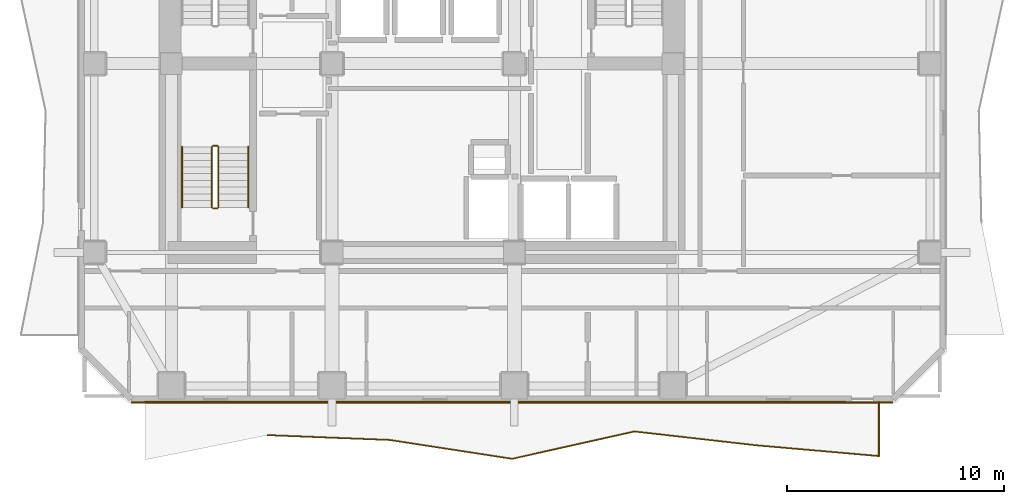
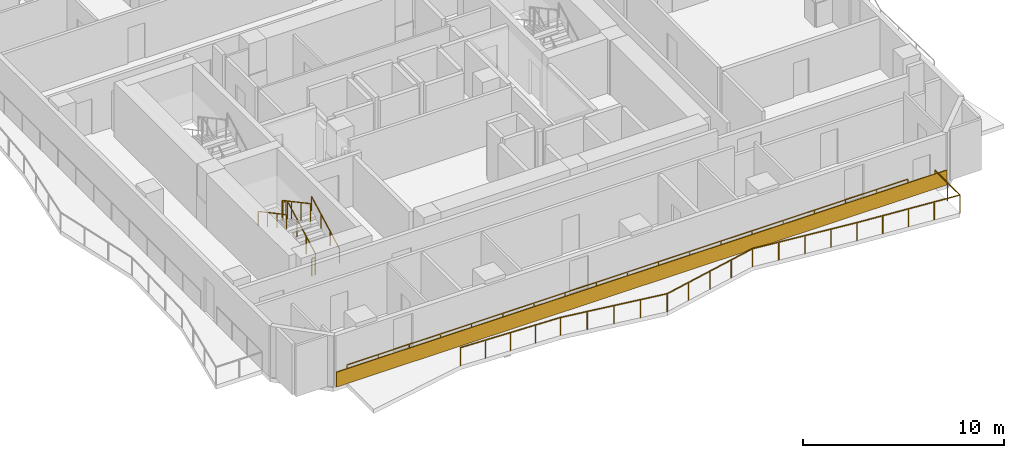
# One storey, part 7 of 9: 8 railings, 1 covering.
"""IFC4 building model written with IfcOpenShell, lengths in metres."""

from ifc_helpers import new_model, si_unit, direction, frame, frame_2d, origin, origin_2d, place, context, subcontext, project, spatial, rectangle, extrude, material, layer, layer_set, type_object, element, save


model = new_model("IFC4")

# Units and contexts
model_context = context("Model", 3, precision=1e-05, world=origin(), true_north=direction((0.0, 1.0)))
body_context = subcontext(model_context, "Body", "Model", "MODEL_VIEW")
ifc_project = project(units=[si_unit("LENGTHUNIT", "METRE"), si_unit("AREAUNIT", "SQUARE_METRE"), si_unit("VOLUMEUNIT", "CUBIC_METRE"), si_unit("PLANEANGLEUNIT", "RADIAN"), si_unit("MASSUNIT", "GRAM", prefix="KILO")], contexts=[model_context])

# Site, building, storey
site_placement = place(None, origin())
site = spatial("IfcSite", under=ifc_project, at=site_placement, CompositionType="ELEMENT")
building_placement = place(site_placement, origin())
building = spatial("IfcBuilding", under=site, at=building_placement, Name="Solanera Arch Residences", CompositionType="ELEMENT")
storey_placement = place(building_placement, frame((0.0, 0.0, 155.8798828125)))
storey = spatial("IfcBuildingStorey", under=building, at=storey_placement, Name="L45", CompositionType="ELEMENT", Elevation=155.8798828125)

# Railings
ifc_material_1 = material(Name="Steel S355 (ASTM A992 / A572 Grade 50)", Category="steel")
railing_type_1 = type_object("IfcRailingType", Name="Balustrade Railing BL-1100", PredefinedType="BALUSTRADE", material=ifc_material_1)
railing_1_placement = place(storey_placement, frame((17.8330078125, 13.5849609375, 0.0)))
element("IfcRailing", 1, at=railing_1_placement, inside=storey, type_object=railing_type_1, Name="L45 S Balcony Balustrade 1", PredefinedType="BALUSTRADE", context=body_context, shape_type="SweptSolid", body=[
    extrude(rectangle(XDim=0.048095703125, YDim=0.048095703125, at=origin_2d()), frame((0.0, 0.0, 1.09619140625), z_axis=(0.999218294098, -0.039532274668, 0.0), x_axis=(0.039532274668, 0.999218294098, 0.0)), (0.0, 0.0, 1.0), 5.638427734375),
    extrude(rectangle(XDim=0.048095703125, YDim=0.048095703125, at=origin_2d()), frame((5.634033203125, -0.222900390625, 1.09619140625), z_axis=(0.988331055855, -0.152321121424, 0.0), x_axis=(0.152321121424, 0.988331055855, 0.0)), (0.0, 0.0, 1.0), 5.699462890625),
    extrude(rectangle(XDim=0.048095703125, YDim=0.048095703125, at=origin_2d()), frame((11.26708984375, -1.091064453125, 1.09619140625), z_axis=(0.975846504853, 0.218457316122, 0.0), x_axis=(-0.218457316122, 0.975846504853, 0.0)), (0.0, 0.0, 1.0), 5.772216796875),
    extrude(rectangle(XDim=0.048095703125, YDim=0.048095703125, at=origin_2d()), frame((16.89990234375, 0.169921875, 1.09619140625), z_axis=(0.993592623931, -0.113020784236, 0.0), x_axis=(0.113020784236, 0.993592623931, 0.0)), (0.0, 0.0, 1.0), 5.67041015625),
    extrude(rectangle(XDim=0.048095703125, YDim=0.048095703125, at=origin_2d()), frame((22.533935546875, -0.470947265625, 1.09619140625), z_axis=(0.996178283681, -0.087343157278, 0.0), x_axis=(0.087343157278, 0.996178283681, 0.0)), (0.0, 0.0, 1.0), 5.65478515625),
    extrude(rectangle(XDim=0.048095703125, YDim=0.048095703125, at=origin_2d()), frame((28.1669921875, -0.96484375, 1.09619140625), z_axis=(0.0, 1.0, 0.0), x_axis=(-1.0, 0.0, 0.0)), (0.0, 0.0, 1.0), 2.5),
    extrude(rectangle(XDim=0.0419921875, YDim=0.0419921875, at=origin_2d()), origin(), (0.0, 0.0, 1.0), 1.072021484375),
    extrude(rectangle(XDim=0.0419921875, YDim=0.0419921875, at=origin_2d()), frame((1.408447265625, -0.0556640625, 0.0)), (0.0, 0.0, 1.0), 1.072021484375),
    extrude(rectangle(XDim=0.0419921875, YDim=0.0419921875, at=origin_2d()), frame((2.81689453125, -0.111328125, 0.0)), (0.0, 0.0, 1.0), 1.072021484375),
    extrude(rectangle(XDim=0.0419921875, YDim=0.0419921875, at=origin_2d()), frame((4.2255859375, -0.167236328125, 0.0)), (0.0, 0.0, 1.0), 1.072021484375),
    extrude(rectangle(XDim=0.0419921875, YDim=0.0419921875, at=origin_2d()), frame((5.634033203125, -0.222900390625, 0.0)), (0.0, 0.0, 1.0), 1.072021484375),
    extrude(rectangle(XDim=0.0419921875, YDim=0.0419921875, at=origin_2d()), frame((7.042236328125, -0.43994140625, 0.0)), (0.0, 0.0, 1.0), 1.072021484375),
    extrude(rectangle(XDim=0.0419921875, YDim=0.0419921875, at=origin_2d()), frame((8.45068359375, -0.656982421875, 0.0)), (0.0, 0.0, 1.0), 1.072021484375),
    extrude(rectangle(XDim=0.0419921875, YDim=0.0419921875, at=origin_2d()), frame((9.85888671875, -0.8740234375, 0.0)), (0.0, 0.0, 1.0), 1.072021484375),
    extrude(rectangle(XDim=0.0419921875, YDim=0.0419921875, at=origin_2d()), frame((11.26708984375, -1.091064453125, 0.0)), (0.0, 0.0, 1.0), 1.072021484375),
    extrude(rectangle(XDim=0.0419921875, YDim=0.0419921875, at=origin_2d()), frame((12.67529296875, -0.77587890625, 0.0)), (0.0, 0.0, 1.0), 1.072021484375),
    extrude(rectangle(XDim=0.0419921875, YDim=0.0419921875, at=origin_2d()), frame((14.08349609375, -0.46044921875, 0.0)), (0.0, 0.0, 1.0), 1.072021484375),
    extrude(rectangle(XDim=0.0419921875, YDim=0.0419921875, at=origin_2d()), frame((15.49169921875, -0.145263671875, 0.0)), (0.0, 0.0, 1.0), 1.072021484375),
    extrude(rectangle(XDim=0.0419921875, YDim=0.0419921875, at=origin_2d()), frame((16.89990234375, 0.169921875, 0.0)), (0.0, 0.0, 1.0), 1.072021484375),
    extrude(rectangle(XDim=0.0419921875, YDim=0.0419921875, at=origin_2d()), frame((18.308349609375, 0.009765625, 0.0)), (0.0, 0.0, 1.0), 1.072021484375),
    extrude(rectangle(XDim=0.0419921875, YDim=0.0419921875, at=origin_2d()), frame((19.716796875, -0.150390625, 0.0)), (0.0, 0.0, 1.0), 1.072021484375),
    extrude(rectangle(XDim=0.0419921875, YDim=0.0419921875, at=origin_2d()), frame((21.12548828125, -0.310791015625, 0.0)), (0.0, 0.0, 1.0), 1.072021484375),
    extrude(rectangle(XDim=0.0419921875, YDim=0.0419921875, at=origin_2d()), frame((22.533935546875, -0.470947265625, 0.0)), (0.0, 0.0, 1.0), 1.072021484375),
    extrude(rectangle(XDim=0.0419921875, YDim=0.0419921875, at=origin_2d()), frame((23.942138671875, -0.594482421875, 0.0)), (0.0, 0.0, 1.0), 1.072021484375),
    extrude(rectangle(XDim=0.0419921875, YDim=0.0419921875, at=origin_2d()), frame((25.3505859375, -0.7177734375, 0.0)), (0.0, 0.0, 1.0), 1.072021484375),
    extrude(rectangle(XDim=0.0419921875, YDim=0.0419921875, at=origin_2d()), frame((26.7587890625, -0.84130859375, 0.0)), (0.0, 0.0, 1.0), 1.072021484375),
    extrude(rectangle(XDim=0.0419921875, YDim=0.0419921875, at=origin_2d()), frame((28.1669921875, -0.96484375, 0.0)), (0.0, 0.0, 1.0), 1.072021484375),
    extrude(rectangle(XDim=0.0419921875, YDim=0.0419921875, at=origin_2d()), frame((28.1669921875, 0.28515625, 0.0)), (0.0, 0.0, 1.0), 1.072021484375),
    extrude(rectangle(XDim=0.0419921875, YDim=0.0419921875, at=origin_2d()), frame((28.1669921875, 1.53515625, 0.0)), (0.0, 0.0, 1.0), 1.072021484375),
])
railing_2_placement = place(storey_placement, frame((44.44091796875, 15.1201171875, 0.0)))
element("IfcRailing", 2, at=railing_2_placement, inside=storey, type_object=railing_type_1, Name="L45 S Balcony Balustrade 2", PredefinedType="BALUSTRADE", context=body_context, shape_type="SweptSolid", body=[
    extrude(rectangle(XDim=0.048095703125, YDim=0.048095703125, at=origin_2d()), frame((0.0, 0.0, 1.09619140625), z_axis=(-1.0, 0.0, 0.0), x_axis=(0.0, -1.0, 0.0)), (0.0, 0.0, 1.0), 32.240966796875),
    extrude(rectangle(XDim=0.0419921875, YDim=0.0419921875, at=origin_2d()), origin(), (0.0, 0.0, 1.0), 1.072021484375),
    extrude(rectangle(XDim=0.0419921875, YDim=0.0419921875, at=origin_2d()), frame((-1.791259765625, 0.0, 0.0)), (0.0, 0.0, 1.0), 1.072021484375),
    extrude(rectangle(XDim=0.0419921875, YDim=0.0419921875, at=origin_2d()), frame((-3.582275390625, 0.0, 0.0)), (0.0, 0.0, 1.0), 1.072021484375),
    extrude(rectangle(XDim=0.0419921875, YDim=0.0419921875, at=origin_2d()), frame((-5.37353515625, 0.0, 0.0)), (0.0, 0.0, 1.0), 1.072021484375),
    extrude(rectangle(XDim=0.0419921875, YDim=0.0419921875, at=origin_2d()), frame((-7.16455078125, 0.0, 0.0)), (0.0, 0.0, 1.0), 1.072021484375),
    extrude(rectangle(XDim=0.0419921875, YDim=0.0419921875, at=origin_2d()), frame((-8.955810546875, 0.0, 0.0)), (0.0, 0.0, 1.0), 1.072021484375),
    extrude(rectangle(XDim=0.0419921875, YDim=0.0419921875, at=origin_2d()), frame((-10.7470703125, 0.0, 0.0)), (0.0, 0.0, 1.0), 1.072021484375),
    extrude(rectangle(XDim=0.0419921875, YDim=0.0419921875, at=origin_2d()), frame((-12.5380859375, 0.0, 0.0)), (0.0, 0.0, 1.0), 1.072021484375),
    extrude(rectangle(XDim=0.0419921875, YDim=0.0419921875, at=origin_2d()), frame((-14.329345703125, 0.0, 0.0)), (0.0, 0.0, 1.0), 1.072021484375),
    extrude(rectangle(XDim=0.0419921875, YDim=0.0419921875, at=origin_2d()), frame((-16.12060546875, 0.0, 0.0)), (0.0, 0.0, 1.0), 1.072021484375),
    extrude(rectangle(XDim=0.0419921875, YDim=0.0419921875, at=origin_2d()), frame((-17.91162109375, 0.0, 0.0)), (0.0, 0.0, 1.0), 1.072021484375),
    extrude(rectangle(XDim=0.0419921875, YDim=0.0419921875, at=origin_2d()), frame((-19.702880859375, 0.0, 0.0)), (0.0, 0.0, 1.0), 1.072021484375),
    extrude(rectangle(XDim=0.0419921875, YDim=0.0419921875, at=origin_2d()), frame((-21.493896484375, 0.0, 0.0)), (0.0, 0.0, 1.0), 1.072021484375),
    extrude(rectangle(XDim=0.0419921875, YDim=0.0419921875, at=origin_2d()), frame((-23.28515625, 0.0, 0.0)), (0.0, 0.0, 1.0), 1.072021484375),
    extrude(rectangle(XDim=0.0419921875, YDim=0.0419921875, at=origin_2d()), frame((-25.076416015625, 0.0, 0.0)), (0.0, 0.0, 1.0), 1.072021484375),
    extrude(rectangle(XDim=0.0419921875, YDim=0.0419921875, at=origin_2d()), frame((-26.867431640625, 0.0, 0.0)), (0.0, 0.0, 1.0), 1.072021484375),
    extrude(rectangle(XDim=0.0419921875, YDim=0.0419921875, at=origin_2d()), frame((-28.65869140625, 0.0, 0.0)), (0.0, 0.0, 1.0), 1.072021484375),
    extrude(rectangle(XDim=0.0419921875, YDim=0.0419921875, at=origin_2d()), frame((-30.44970703125, 0.0, 0.0)), (0.0, 0.0, 1.0), 1.072021484375),
    extrude(rectangle(XDim=0.0419921875, YDim=0.0419921875, at=origin_2d()), frame((-32.240966796875, 0.0, 0.0)), (0.0, 0.0, 1.0), 1.072021484375),
])

# Covering
ifc_material_2 = material(Name="Philippine Adobe Travertine Cladding", Category="masonry")
ifc_layer = layer(ifc_material_2, 0.06005859375)
ifc_layer_set = layer_set([ifc_layer], Name="Philippine Adobe Travertine Cladding")
covering_type = type_object("IfcCoveringType", Name="Precast Pier Stone Cladding CLD-60", PredefinedType="CLADDING", material=ifc_layer_set)
covering_placement = place(storey_placement, frame((46.64501953125, 15.0849609375, 0.0), z_axis=(0.0, 0.0, 1.0), x_axis=(-1.0, 0.0, 0.0)))
element("IfcCovering", 3, at=covering_placement, inside=storey, type_object=covering_type, Name="L45 S Precast Spandrel Stone Band", PredefinedType="CLADDING", context=body_context, shape_type="SweptSolid", body=[
    extrude(rectangle(XDim=35.090087890625, YDim=0.06005859375, at=frame_2d((17.544921875, 0.0))), origin(), (0.0, 0.0, 1.0), 0.900146484375),
])

# Railings
ifc_material_3 = material(Name="Steel S355 (ASTM A992 / A572 Grade 50)", Category="steel")
railing_type_2 = type_object("IfcRailingType", Name="Stair Guardrail GR-1100", PredefinedType="GUARDRAIL", material=ifc_material_3)
railing_3_placement = place(storey_placement, frame((15.570068359375, 24.080078125, 0.151123046875)))
element("IfcRailing", 4, at=railing_3_placement, inside=storey, type_object=railing_type_2, Name="L45 ST-T3 stair guard 1", PredefinedType="GUARDRAIL", context=body_context, shape_type="SweptSolid", body=[
    extrude(rectangle(XDim=0.048095703125, YDim=0.048095703125, at=origin_2d()), frame((0.0, 0.0, 1.076171875), z_axis=(0.0, 0.881580869306, 0.472033018838), x_axis=(-1.0, 0.0, 0.0)), (0.0, 0.0, 1.0), 3.164794921875),
    extrude(rectangle(XDim=0.0419921875, YDim=0.0419921875, at=origin_2d()), origin(), (0.0, 0.0, 1.0), 1.052001953125),
    extrude(rectangle(XDim=0.0419921875, YDim=0.0419921875, at=origin_2d()), frame((0.0, 0.929931640625, 0.498046875)), (0.0, 0.0, 1.0), 1.052001953125),
    extrude(rectangle(XDim=0.0419921875, YDim=0.0419921875, at=origin_2d()), frame((0.0, 1.860107421875, 0.995849609375)), (0.0, 0.0, 1.0), 1.052001953125),
    extrude(rectangle(XDim=0.0419921875, YDim=0.0419921875, at=origin_2d()), frame((0.0, 2.7900390625, 1.493896484375)), (0.0, 0.0, 1.0), 1.052001953125),
])
railing_4_placement = place(storey_placement, frame((15.52001953125, 26.919921875, 1.64501953125)))
element("IfcRailing", 5, at=railing_4_placement, inside=storey, type_object=railing_type_2, Name="L45 ST-T3 stair guard 2", PredefinedType="GUARDRAIL", context=body_context, shape_type="SweptSolid", body=[
    extrude(rectangle(XDim=0.048095703125, YDim=0.048095703125, at=origin_2d()), frame((0.0, 0.0, 1.076171875), z_axis=(-1.0, 0.0, 0.0), x_axis=(0.0, -1.0, 0.0)), (0.0, 0.0, 1.0), 0.199951171875),
    extrude(rectangle(XDim=0.0419921875, YDim=0.0419921875, at=origin_2d()), origin(), (0.0, 0.0, 1.0), 1.052001953125),
    extrude(rectangle(XDim=0.0419921875, YDim=0.0419921875, at=origin_2d()), frame((-0.199951171875, 0.0, 0.0)), (0.0, 0.0, 1.0), 1.052001953125),
])
railing_5_placement = place(storey_placement, frame((15.27001953125, 26.8701171875, 1.81103515625)))
element("IfcRailing", 6, at=railing_5_placement, inside=storey, type_object=railing_type_2, Name="L45 ST-T3 stair guard 3", PredefinedType="GUARDRAIL", context=body_context, shape_type="SweptSolid", body=[
    extrude(rectangle(XDim=0.048095703125, YDim=0.048095703125, at=origin_2d()), frame((0.0, 0.0, 1.076171875), z_axis=(0.0, -0.881548766853, 0.472092969298), x_axis=(1.0, 0.0, 0.0)), (0.0, 0.0, 1.0), 3.1650390625),
    extrude(rectangle(XDim=0.0419921875, YDim=0.0419921875, at=origin_2d()), origin(), (0.0, 0.0, 1.0), 1.052001953125),
    extrude(rectangle(XDim=0.0419921875, YDim=0.0419921875, at=origin_2d()), frame((0.0, -0.929931640625, 0.498046875)), (0.0, 0.0, 1.0), 1.052001953125),
    extrude(rectangle(XDim=0.0419921875, YDim=0.0419921875, at=origin_2d()), frame((0.0, -1.860107421875, 0.99609375)), (0.0, 0.0, 1.0), 1.052001953125),
    extrude(rectangle(XDim=0.0419921875, YDim=0.0419921875, at=origin_2d()), frame((0.0, -2.7900390625, 1.494140625)), (0.0, 0.0, 1.0), 1.052001953125),
])
railing_6_placement = place(storey_placement, frame((15.52001953125, 24.030029296875, -0.014892578125)))
element("IfcRailing", 7, at=railing_6_placement, inside=storey, type_object=railing_type_2, Name="L45 ST-T3 stair guard 4", PredefinedType="GUARDRAIL", context=body_context, shape_type="SweptSolid", body=[
    extrude(rectangle(XDim=0.048095703125, YDim=0.048095703125, at=origin_2d()), frame((0.0, 0.0, 1.076171875), z_axis=(-1.0, 0.0, 0.0), x_axis=(0.0, -1.0, 0.0)), (0.0, 0.0, 1.0), 0.199951171875),
    extrude(rectangle(XDim=0.0419921875, YDim=0.0419921875, at=origin_2d()), origin(), (0.0, 0.0, 1.0), 1.052001953125),
    extrude(rectangle(XDim=0.0419921875, YDim=0.0419921875, at=origin_2d()), frame((-0.199951171875, 0.0, 0.0)), (0.0, 0.0, 1.0), 1.052001953125),
])
ifc_material_4 = material(Name="Steel S355 (ASTM A992 / A572 Grade 50)", Category="steel")
railing_type_3 = type_object("IfcRailingType", Name="Stair Wall Handrail HR-920", PredefinedType="HANDRAIL", material=ifc_material_4)
railing_7_placement = place(storey_placement, frame((16.949951171875, 24.080078125, 0.166015625)))
element("IfcRailing", 8, at=railing_7_placement, inside=storey, type_object=railing_type_3, Name="L45 ST-T3 stair handrail 1", PredefinedType="HANDRAIL", context=body_context, shape_type="SweptSolid", body=[
    extrude(rectangle(XDim=0.048095703125, YDim=0.048095703125, at=origin_2d()), frame((0.0, 0.0, 0.8759765625), z_axis=(0.0, 0.881548766853, 0.472092969298), x_axis=(-1.0, 0.0, 0.0)), (0.0, 0.0, 1.0), 3.1650390625),
    extrude(rectangle(XDim=0.0419921875, YDim=0.0419921875, at=origin_2d()), origin(), (0.0, 0.0, 1.0), 0.851806640625),
    extrude(rectangle(XDim=0.0419921875, YDim=0.0419921875, at=origin_2d()), frame((0.0, 0.929931640625, 0.498046875)), (0.0, 0.0, 1.0), 0.851806640625),
    extrude(rectangle(XDim=0.0419921875, YDim=0.0419921875, at=origin_2d()), frame((0.0, 1.860107421875, 0.99609375)), (0.0, 0.0, 1.0), 0.851806640625),
    extrude(rectangle(XDim=0.0419921875, YDim=0.0419921875, at=origin_2d()), frame((0.0, 2.7900390625, 1.494140625)), (0.0, 0.0, 1.0), 0.851806640625),
])
railing_8_placement = place(storey_placement, frame((13.889892578125, 26.8701171875, 1.826171875)))
element("IfcRailing", 9, at=railing_8_placement, inside=storey, type_object=railing_type_3, Name="L45 ST-T3 stair handrail 2", PredefinedType="HANDRAIL", context=body_context, shape_type="SweptSolid", body=[
    extrude(rectangle(XDim=0.048095703125, YDim=0.048095703125, at=origin_2d()), frame((0.0, 0.0, 0.8759765625), z_axis=(0.0, -0.881580869306, 0.472033018838), x_axis=(1.0, 0.0, 0.0)), (0.0, 0.0, 1.0), 3.164794921875),
    extrude(rectangle(XDim=0.0419921875, YDim=0.0419921875, at=origin_2d()), origin(), (0.0, 0.0, 1.0), 0.851806640625),
    extrude(rectangle(XDim=0.0419921875, YDim=0.0419921875, at=origin_2d()), frame((0.0, -0.929931640625, 0.498046875)), (0.0, 0.0, 1.0), 0.851806640625),
    extrude(rectangle(XDim=0.0419921875, YDim=0.0419921875, at=origin_2d()), frame((0.0, -1.860107421875, 0.995849609375)), (0.0, 0.0, 1.0), 0.851806640625),
    extrude(rectangle(XDim=0.0419921875, YDim=0.0419921875, at=origin_2d()), frame((0.0, -2.7900390625, 1.493896484375)), (0.0, 0.0, 1.0), 0.851806640625),
])

save(model, "model.ifc")
